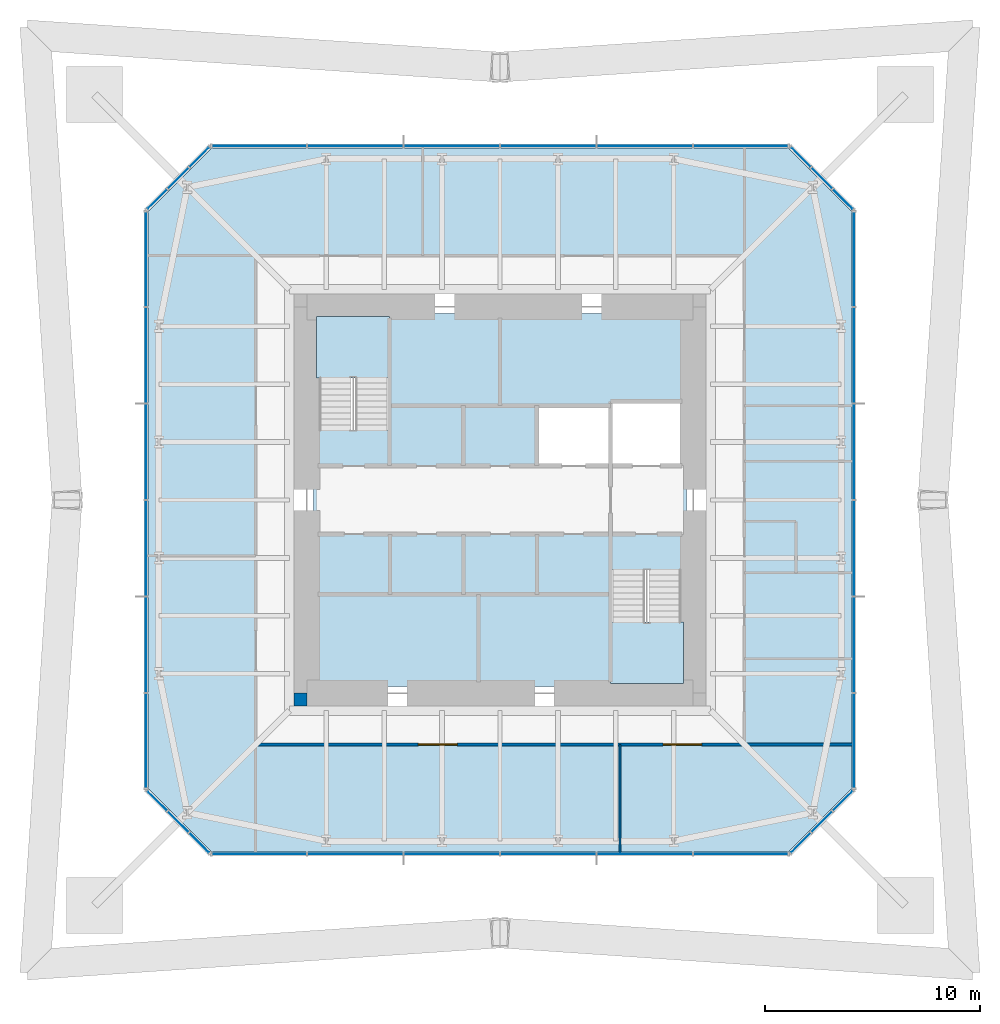
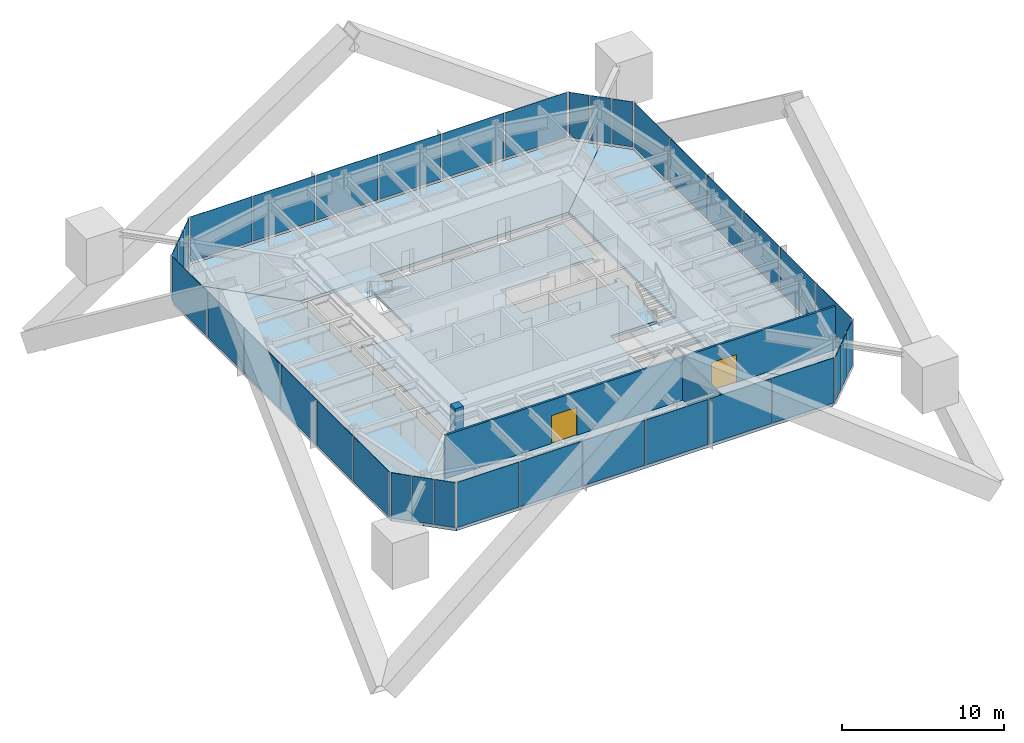
# One storey, part 8 of 11: 36 plates, 7 slabs, 3 walls, 2 doors, 2 openings, 10 elements without a shape of their own.
"""IFC4 building model written with IfcOpenShell, lengths in metres."""

from ifc_helpers import new_model, si_unit, direction, frame, frame_2d, origin, origin_2d, place, context, subcontext, project, spatial, polyline, rectangle, outline, extrude, material, layer, layer_set, constituent, constituent_set, type_object, element, fill, aggregate, save


model = new_model("IFC4")

# Units and contexts
model_context = context("Model", 3, precision=1e-05, world=origin(), true_north=direction((0.0, 1.0)))
body_context = subcontext(model_context, "Body", "Model", "MODEL_VIEW")
ifc_project = project(units=[si_unit("LENGTHUNIT", "METRE"), si_unit("AREAUNIT", "SQUARE_METRE"), si_unit("VOLUMEUNIT", "CUBIC_METRE"), si_unit("PLANEANGLEUNIT", "RADIAN"), si_unit("MASSUNIT", "GRAM", prefix="KILO")], contexts=[model_context])

# Site, building, storey
site_placement = place(None, origin())
site = spatial("IfcSite", under=ifc_project, at=site_placement, CompositionType="ELEMENT")
building_placement = place(site_placement, origin())
building = spatial("IfcBuilding", under=site, at=building_placement, Name="Iwan Alto Co-Living Towers", CompositionType="ELEMENT")
storey_placement = place(building_placement, frame((0.0, 0.0, 215.0)))
storey = spatial("IfcBuildingStorey", under=building, at=storey_placement, Name="L58", CompositionType="ELEMENT", Elevation=215.0)

# Slab
ifc_material_1 = material(Name="Concrete f'c 30 MPa", Category="concrete")
ifc_layer_1 = layer(ifc_material_1, 0.199951171875)
ifc_layer_set_1 = layer_set([ifc_layer_1], Name="CORE FLOOR SLAB 200")
slab_type_1 = type_object("IfcSlabType", Name="CORE FLOOR SLAB 200", PredefinedType="FLOOR", material=ifc_layer_set_1)
slab_1_placement = place(storey_placement, frame((0.0, 0.0, -0.199951171875)))
element("IfcSlab", 1, at=slab_1_placement, inside=storey, type_object=slab_type_1, Name="T1 core floor L58", PredefinedType="FLOOR", context=body_context, shape_type="SweptSolid", body=[
    extrude(outline(polyline([(-8.699951171875, 3.580078125), (-8.39990234375, 3.580078125), (-8.39990234375, 3.27001953125), (-5.14990234375, 3.27001953125), (-5.14990234375, 8.39990234375), (-5.4599609375, 8.39990234375), (-5.4599609375, 8.699951171875), (8.699951171875, 8.699951171875), (8.699951171875, 4.2900390625), (8.39990234375, 4.2900390625), (8.39990234375, 4.60009765625), (5.14990234375, 4.60009765625), (5.14990234375, 4.39990234375), (1.717041015625, 4.39990234375), (1.717041015625, 1.60009765625), (5.14990234375, 1.60009765625), (8.39990234375, 1.60009765625), (8.39990234375, 1.909912109375), (8.699951171875, 1.909912109375), (8.699951171875, -3.580078125), (8.39990234375, -3.580078125), (8.39990234375, -3.27001953125), (5.14990234375, -3.27001953125), (5.14990234375, -8.39990234375), (5.4599609375, -8.39990234375), (5.4599609375, -8.699951171875), (-8.699951171875, -8.699951171875), (-8.699951171875, 3.580078125)])), origin(), (0.0, 0.0, 1.0), 0.199951171875),
])

# Curtain wall, plates
ifc_material_2 = material(Name="Bronze aluminium unitised frame", Category="aluminium")
curtain_wall_type_1 = type_object("IfcCurtainWallType", Name="CURTAIN WALL CW-A", PredefinedType="NOTDEFINED", material=ifc_material_2)
curtain_wall_1_placement = place(storey_placement, origin())
curtain_wall_1 = element("IfcCurtainWall", 2, at=curtain_wall_1_placement, inside=storey, type_object=curtain_wall_type_1, Name="T1 curtain wall S L58", PredefinedType="NOTDEFINED")
ifc_material_3 = material(Name="Bronze-tinted insulating glass", Category="glass")
ifc_layer_2 = layer(ifc_material_3, 0.031982421875)
ifc_layer_set_2 = layer_set([ifc_layer_2], Name="CW-A PANEL TINTED IGU 32")
plate_type_1 = type_object("IfcPlateType", Name="CW-A PANEL TINTED IGU 32", PredefinedType="CURTAIN_PANEL", material=ifc_layer_set_2)
plate_1_placement = place(storey_placement, frame((-11.22998046875, -16.5, 0.10009765625), z_axis=(0.0, 0.0, 1.0), x_axis=(1.0, 0.0, 0.0)))
plate_1 = element("IfcPlate", 3, at=plate_1_placement, type_object=plate_type_1, Name="CW-A panel 1.1", PredefinedType="CURTAIN_PANEL", context=body_context, shape_type="SweptSolid", body=[
    extrude(rectangle(XDim=4.3798828125, YDim=0.031982421875, at=origin_2d()), origin(), (0.0, 0.0, 1.0), 3.39990234375),
])
plate_2_placement = place(storey_placement, frame((-6.75, -16.5, 0.10009765625), z_axis=(0.0, 0.0, 1.0), x_axis=(1.0, 0.0, 0.0)))
plate_2 = element("IfcPlate", 4, at=plate_2_placement, type_object=plate_type_1, Name="CW-A panel 2.1", PredefinedType="CURTAIN_PANEL", context=body_context, shape_type="SweptSolid", body=[
    extrude(rectangle(XDim=4.419921875, YDim=0.031982421875, at=origin_2d()), origin(), (0.0, 0.0, 1.0), 3.39990234375),
])
plate_3_placement = place(storey_placement, frame((-2.25, -16.5, 0.10009765625), z_axis=(0.0, 0.0, 1.0), x_axis=(1.0, 0.0, 0.0)))
plate_3 = element("IfcPlate", 5, at=plate_3_placement, type_object=plate_type_1, Name="CW-A panel 3.1", PredefinedType="CURTAIN_PANEL", context=body_context, shape_type="SweptSolid", body=[
    extrude(rectangle(XDim=4.419921875, YDim=0.031982421875, at=origin_2d()), origin(), (0.0, 0.0, 1.0), 3.39990234375),
])
plate_4_placement = place(storey_placement, frame((2.25, -16.5, 0.10009765625), z_axis=(0.0, 0.0, 1.0), x_axis=(1.0, 0.0, 0.0)))
plate_4 = element("IfcPlate", 6, at=plate_4_placement, type_object=plate_type_1, Name="CW-A panel 4.1", PredefinedType="CURTAIN_PANEL", context=body_context, shape_type="SweptSolid", body=[
    extrude(rectangle(XDim=4.419921875, YDim=0.031982421875, at=origin_2d()), origin(), (0.0, 0.0, 1.0), 3.39990234375),
])
plate_5_placement = place(storey_placement, frame((6.75, -16.5, 0.10009765625), z_axis=(0.0, 0.0, 1.0), x_axis=(1.0, 0.0, 0.0)))
plate_5 = element("IfcPlate", 7, at=plate_5_placement, type_object=plate_type_1, Name="CW-A panel 5.1", PredefinedType="CURTAIN_PANEL", context=body_context, shape_type="SweptSolid", body=[
    extrude(rectangle(XDim=4.419921875, YDim=0.031982421875, at=origin_2d()), origin(), (0.0, 0.0, 1.0), 3.39990234375),
])
plate_6_placement = place(storey_placement, frame((11.22998046875, -16.5, 0.10009765625), z_axis=(0.0, 0.0, 1.0), x_axis=(1.0, 0.0, 0.0)))
plate_6 = element("IfcPlate", 8, at=plate_6_placement, type_object=plate_type_1, Name="CW-A panel 6.1", PredefinedType="CURTAIN_PANEL", context=body_context, shape_type="SweptSolid", body=[
    extrude(rectangle(XDim=4.3798828125, YDim=0.031982421875, at=origin_2d()), origin(), (0.0, 0.0, 1.0), 3.39990234375),
])
aggregate(curtain_wall_1, [plate_1, plate_2, plate_3, plate_4, plate_5, plate_6])

curtain_wall_2_placement = place(storey_placement, origin())
curtain_wall_2 = element("IfcCurtainWall", 9, at=curtain_wall_2_placement, inside=storey, type_object=curtain_wall_type_1, Name="T1 curtain wall E L58", PredefinedType="NOTDEFINED")
plate_7_placement = place(storey_placement, frame((16.5, -11.22998046875, 0.10009765625), z_axis=(0.0, 0.0, 1.0), x_axis=(0.0, 1.0, 0.0)))
plate_7 = element("IfcPlate", 10, at=plate_7_placement, type_object=plate_type_1, Name="CW-A panel 1.1", PredefinedType="CURTAIN_PANEL", context=body_context, shape_type="SweptSolid", body=[
    extrude(rectangle(XDim=4.3798828125, YDim=0.031982421875, at=origin_2d()), origin(), (0.0, 0.0, 1.0), 3.39990234375),
])
plate_8_placement = place(storey_placement, frame((16.5, -6.75, 0.10009765625), z_axis=(0.0, 0.0, 1.0), x_axis=(0.0, 1.0, 0.0)))
plate_8 = element("IfcPlate", 11, at=plate_8_placement, type_object=plate_type_1, Name="CW-A panel 2.1", PredefinedType="CURTAIN_PANEL", context=body_context, shape_type="SweptSolid", body=[
    extrude(rectangle(XDim=4.419921875, YDim=0.031982421875, at=origin_2d()), origin(), (0.0, 0.0, 1.0), 3.39990234375),
])
plate_9_placement = place(storey_placement, frame((16.5, -2.25, 0.10009765625), z_axis=(0.0, 0.0, 1.0), x_axis=(0.0, 1.0, 0.0)))
plate_9 = element("IfcPlate", 12, at=plate_9_placement, type_object=plate_type_1, Name="CW-A panel 3.1", PredefinedType="CURTAIN_PANEL", context=body_context, shape_type="SweptSolid", body=[
    extrude(rectangle(XDim=4.419921875, YDim=0.031982421875, at=origin_2d()), origin(), (0.0, 0.0, 1.0), 3.39990234375),
])
plate_10_placement = place(storey_placement, frame((16.5, 2.25, 0.10009765625), z_axis=(0.0, 0.0, 1.0), x_axis=(0.0, 1.0, 0.0)))
plate_10 = element("IfcPlate", 13, at=plate_10_placement, type_object=plate_type_1, Name="CW-A panel 4.1", PredefinedType="CURTAIN_PANEL", context=body_context, shape_type="SweptSolid", body=[
    extrude(rectangle(XDim=4.419921875, YDim=0.031982421875, at=origin_2d()), origin(), (0.0, 0.0, 1.0), 3.39990234375),
])
plate_11_placement = place(storey_placement, frame((16.5, 6.75, 0.10009765625), z_axis=(0.0, 0.0, 1.0), x_axis=(0.0, 1.0, 0.0)))
plate_11 = element("IfcPlate", 14, at=plate_11_placement, type_object=plate_type_1, Name="CW-A panel 5.1", PredefinedType="CURTAIN_PANEL", context=body_context, shape_type="SweptSolid", body=[
    extrude(rectangle(XDim=4.419921875, YDim=0.031982421875, at=origin_2d()), origin(), (0.0, 0.0, 1.0), 3.39990234375),
])
plate_12_placement = place(storey_placement, frame((16.5, 11.22998046875, 0.10009765625), z_axis=(0.0, 0.0, 1.0), x_axis=(0.0, 1.0, 0.0)))
plate_12 = element("IfcPlate", 15, at=plate_12_placement, type_object=plate_type_1, Name="CW-A panel 6.1", PredefinedType="CURTAIN_PANEL", context=body_context, shape_type="SweptSolid", body=[
    extrude(rectangle(XDim=4.3798828125, YDim=0.031982421875, at=origin_2d()), origin(), (0.0, 0.0, 1.0), 3.39990234375),
])
aggregate(curtain_wall_2, [plate_7, plate_8, plate_9, plate_10, plate_11, plate_12])

curtain_wall_3_placement = place(storey_placement, origin())
curtain_wall_3 = element("IfcCurtainWall", 16, at=curtain_wall_3_placement, inside=storey, type_object=curtain_wall_type_1, Name="T1 curtain wall N L58", PredefinedType="NOTDEFINED")
plate_13_placement = place(storey_placement, frame((11.22998046875, 16.5, 0.10009765625), z_axis=(0.0, 0.0, 1.0), x_axis=(-1.0, 0.0, 0.0)))
plate_13 = element("IfcPlate", 17, at=plate_13_placement, type_object=plate_type_1, Name="CW-A panel 1.1", PredefinedType="CURTAIN_PANEL", context=body_context, shape_type="SweptSolid", body=[
    extrude(rectangle(XDim=4.3798828125, YDim=0.031982421875, at=origin_2d()), origin(), (0.0, 0.0, 1.0), 3.39990234375),
])
plate_14_placement = place(storey_placement, frame((6.75, 16.5, 0.10009765625), z_axis=(0.0, 0.0, 1.0), x_axis=(-1.0, 0.0, 0.0)))
plate_14 = element("IfcPlate", 18, at=plate_14_placement, type_object=plate_type_1, Name="CW-A panel 2.1", PredefinedType="CURTAIN_PANEL", context=body_context, shape_type="SweptSolid", body=[
    extrude(rectangle(XDim=4.419921875, YDim=0.031982421875, at=origin_2d()), origin(), (0.0, 0.0, 1.0), 3.39990234375),
])
plate_15_placement = place(storey_placement, frame((2.25, 16.5, 0.10009765625), z_axis=(0.0, 0.0, 1.0), x_axis=(-1.0, 0.0, 0.0)))
plate_15 = element("IfcPlate", 19, at=plate_15_placement, type_object=plate_type_1, Name="CW-A panel 3.1", PredefinedType="CURTAIN_PANEL", context=body_context, shape_type="SweptSolid", body=[
    extrude(rectangle(XDim=4.419921875, YDim=0.031982421875, at=origin_2d()), origin(), (0.0, 0.0, 1.0), 3.39990234375),
])
plate_16_placement = place(storey_placement, frame((-2.25, 16.5, 0.10009765625), z_axis=(0.0, 0.0, 1.0), x_axis=(-1.0, 0.0, 0.0)))
plate_16 = element("IfcPlate", 20, at=plate_16_placement, type_object=plate_type_1, Name="CW-A panel 4.1", PredefinedType="CURTAIN_PANEL", context=body_context, shape_type="SweptSolid", body=[
    extrude(rectangle(XDim=4.419921875, YDim=0.031982421875, at=origin_2d()), origin(), (0.0, 0.0, 1.0), 3.39990234375),
])
plate_17_placement = place(storey_placement, frame((-6.75, 16.5, 0.10009765625), z_axis=(0.0, 0.0, 1.0), x_axis=(-1.0, 0.0, 0.0)))
plate_17 = element("IfcPlate", 21, at=plate_17_placement, type_object=plate_type_1, Name="CW-A panel 5.1", PredefinedType="CURTAIN_PANEL", context=body_context, shape_type="SweptSolid", body=[
    extrude(rectangle(XDim=4.419921875, YDim=0.031982421875, at=origin_2d()), origin(), (0.0, 0.0, 1.0), 3.39990234375),
])
plate_18_placement = place(storey_placement, frame((-11.22998046875, 16.5, 0.10009765625), z_axis=(0.0, 0.0, 1.0), x_axis=(-1.0, 0.0, 0.0)))
plate_18 = element("IfcPlate", 22, at=plate_18_placement, type_object=plate_type_1, Name="CW-A panel 6.1", PredefinedType="CURTAIN_PANEL", context=body_context, shape_type="SweptSolid", body=[
    extrude(rectangle(XDim=4.3798828125, YDim=0.031982421875, at=origin_2d()), origin(), (0.0, 0.0, 1.0), 3.39990234375),
])
aggregate(curtain_wall_3, [plate_13, plate_14, plate_15, plate_16, plate_17, plate_18])

curtain_wall_4_placement = place(storey_placement, origin())
curtain_wall_4 = element("IfcCurtainWall", 23, at=curtain_wall_4_placement, inside=storey, type_object=curtain_wall_type_1, Name="T1 curtain wall W L58", PredefinedType="NOTDEFINED")
plate_19_placement = place(storey_placement, frame((-16.5, 11.22998046875, 0.10009765625), z_axis=(0.0, 0.0, 1.0), x_axis=(0.0, -1.0, 0.0)))
plate_19 = element("IfcPlate", 24, at=plate_19_placement, type_object=plate_type_1, Name="CW-A panel 1.1", PredefinedType="CURTAIN_PANEL", context=body_context, shape_type="SweptSolid", body=[
    extrude(rectangle(XDim=4.3798828125, YDim=0.031982421875, at=origin_2d()), origin(), (0.0, 0.0, 1.0), 3.39990234375),
])
plate_20_placement = place(storey_placement, frame((-16.5, 6.75, 0.10009765625), z_axis=(0.0, 0.0, 1.0), x_axis=(0.0, -1.0, 0.0)))
plate_20 = element("IfcPlate", 25, at=plate_20_placement, type_object=plate_type_1, Name="CW-A panel 2.1", PredefinedType="CURTAIN_PANEL", context=body_context, shape_type="SweptSolid", body=[
    extrude(rectangle(XDim=4.419921875, YDim=0.031982421875, at=origin_2d()), origin(), (0.0, 0.0, 1.0), 3.39990234375),
])
plate_21_placement = place(storey_placement, frame((-16.5, 2.25, 0.10009765625), z_axis=(0.0, 0.0, 1.0), x_axis=(0.0, -1.0, 0.0)))
plate_21 = element("IfcPlate", 26, at=plate_21_placement, type_object=plate_type_1, Name="CW-A panel 3.1", PredefinedType="CURTAIN_PANEL", context=body_context, shape_type="SweptSolid", body=[
    extrude(rectangle(XDim=4.419921875, YDim=0.031982421875, at=origin_2d()), origin(), (0.0, 0.0, 1.0), 3.39990234375),
])
plate_22_placement = place(storey_placement, frame((-16.5, -2.25, 0.10009765625), z_axis=(0.0, 0.0, 1.0), x_axis=(0.0, -1.0, 0.0)))
plate_22 = element("IfcPlate", 27, at=plate_22_placement, type_object=plate_type_1, Name="CW-A panel 4.1", PredefinedType="CURTAIN_PANEL", context=body_context, shape_type="SweptSolid", body=[
    extrude(rectangle(XDim=4.419921875, YDim=0.031982421875, at=origin_2d()), origin(), (0.0, 0.0, 1.0), 3.39990234375),
])
plate_23_placement = place(storey_placement, frame((-16.5, -6.75, 0.10009765625), z_axis=(0.0, 0.0, 1.0), x_axis=(0.0, -1.0, 0.0)))
plate_23 = element("IfcPlate", 28, at=plate_23_placement, type_object=plate_type_1, Name="CW-A panel 5.1", PredefinedType="CURTAIN_PANEL", context=body_context, shape_type="SweptSolid", body=[
    extrude(rectangle(XDim=4.419921875, YDim=0.031982421875, at=origin_2d()), origin(), (0.0, 0.0, 1.0), 3.39990234375),
])
plate_24_placement = place(storey_placement, frame((-16.5, -11.22998046875, 0.10009765625), z_axis=(0.0, 0.0, 1.0), x_axis=(0.0, -1.0, 0.0)))
plate_24 = element("IfcPlate", 29, at=plate_24_placement, type_object=plate_type_1, Name="CW-A panel 6.1", PredefinedType="CURTAIN_PANEL", context=body_context, shape_type="SweptSolid", body=[
    extrude(rectangle(XDim=4.3798828125, YDim=0.031982421875, at=origin_2d()), origin(), (0.0, 0.0, 1.0), 3.39990234375),
])
aggregate(curtain_wall_4, [plate_19, plate_20, plate_21, plate_22, plate_23, plate_24])

ifc_material_4 = material(Name="Bronze aluminium unitised frame", Category="aluminium")
curtain_wall_type_2 = type_object("IfcCurtainWallType", Name="CURTAIN WALL CW-B", PredefinedType="NOTDEFINED", material=ifc_material_4)
curtain_wall_5_placement = place(storey_placement, origin())
curtain_wall_5 = element("IfcCurtainWall", 30, at=curtain_wall_5_placement, inside=storey, type_object=curtain_wall_type_2, Name="T1 chamfer curtain wall SE L58", PredefinedType="NOTDEFINED")
ifc_material_5 = material(Name="Bronze-tinted insulating glass", Category="glass")
ifc_layer_3 = layer(ifc_material_5, 0.031982421875)
ifc_layer_set_3 = layer_set([ifc_layer_3], Name="CW-B PANEL TINTED IGU 32")
plate_type_2 = type_object("IfcPlateType", Name="CW-B PANEL TINTED IGU 32", PredefinedType="CURTAIN_PANEL", material=ifc_layer_set_3)
plate_25_placement = place(storey_placement, frame((14.01416015625, -15.98583984375, 0.10009765625), z_axis=(0.0, 0.0, 1.0), x_axis=(0.707106781187, 0.707106781187, 0.0)))
plate_25 = element("IfcPlate", 31, at=plate_25_placement, type_object=plate_type_2, Name="CW-B panel 1.1", PredefinedType="CURTAIN_PANEL", context=body_context, shape_type="SweptSolid", body=[
    extrude(rectangle(XDim=1.294189453125, YDim=0.031982421875, at=origin_2d()), origin(), (0.0, 0.0, 1.0), 3.39990234375),
])
plate_26_placement = place(storey_placement, frame((15.0, -15.0, 0.10009765625), z_axis=(0.0, 0.0, 1.0), x_axis=(0.707106781187, 0.707106781187, 0.0)))
plate_26 = element("IfcPlate", 32, at=plate_26_placement, type_object=plate_type_2, Name="CW-B panel 2.1", PredefinedType="CURTAIN_PANEL", context=body_context, shape_type="SweptSolid", body=[
    extrude(rectangle(XDim=1.334228515625, YDim=0.031982421875, at=origin_2d()), origin(), (0.0, 0.0, 1.0), 3.39990234375),
])
plate_27_placement = place(storey_placement, frame((15.98583984375, -14.01416015625, 0.10009765625), z_axis=(0.0, 0.0, 1.0), x_axis=(0.707106781187, 0.707106781187, 0.0)))
plate_27 = element("IfcPlate", 33, at=plate_27_placement, type_object=plate_type_2, Name="CW-B panel 3.1", PredefinedType="CURTAIN_PANEL", context=body_context, shape_type="SweptSolid", body=[
    extrude(rectangle(XDim=1.294189453125, YDim=0.031982421875, at=origin_2d()), origin(), (0.0, 0.0, 1.0), 3.39990234375),
])
aggregate(curtain_wall_5, [plate_25, plate_26, plate_27])

curtain_wall_6_placement = place(storey_placement, origin())
curtain_wall_6 = element("IfcCurtainWall", 34, at=curtain_wall_6_placement, inside=storey, type_object=curtain_wall_type_2, Name="T1 chamfer curtain wall NE L58", PredefinedType="NOTDEFINED")
plate_28_placement = place(storey_placement, frame((15.98583984375, 14.01416015625, 0.10009765625), z_axis=(0.0, 0.0, 1.0), x_axis=(-0.707106781187, 0.707106781187, 0.0)))
plate_28 = element("IfcPlate", 35, at=plate_28_placement, type_object=plate_type_2, Name="CW-B panel 1.1", PredefinedType="CURTAIN_PANEL", context=body_context, shape_type="SweptSolid", body=[
    extrude(rectangle(XDim=1.294189453125, YDim=0.031982421875, at=origin_2d()), origin(), (0.0, 0.0, 1.0), 3.39990234375),
])
plate_29_placement = place(storey_placement, frame((15.0, 15.0, 0.10009765625), z_axis=(0.0, 0.0, 1.0), x_axis=(-0.707106781187, 0.707106781187, 0.0)))
plate_29 = element("IfcPlate", 36, at=plate_29_placement, type_object=plate_type_2, Name="CW-B panel 2.1", PredefinedType="CURTAIN_PANEL", context=body_context, shape_type="SweptSolid", body=[
    extrude(rectangle(XDim=1.334228515625, YDim=0.031982421875, at=origin_2d()), origin(), (0.0, 0.0, 1.0), 3.39990234375),
])
plate_30_placement = place(storey_placement, frame((14.01416015625, 15.98583984375, 0.10009765625), z_axis=(0.0, 0.0, 1.0), x_axis=(-0.707106781187, 0.707106781187, 0.0)))
plate_30 = element("IfcPlate", 37, at=plate_30_placement, type_object=plate_type_2, Name="CW-B panel 3.1", PredefinedType="CURTAIN_PANEL", context=body_context, shape_type="SweptSolid", body=[
    extrude(rectangle(XDim=1.294189453125, YDim=0.031982421875, at=origin_2d()), origin(), (0.0, 0.0, 1.0), 3.39990234375),
])
aggregate(curtain_wall_6, [plate_28, plate_29, plate_30])

curtain_wall_7_placement = place(storey_placement, origin())
curtain_wall_7 = element("IfcCurtainWall", 38, at=curtain_wall_7_placement, inside=storey, type_object=curtain_wall_type_2, Name="T1 chamfer curtain wall NW L58", PredefinedType="NOTDEFINED")
plate_31_placement = place(storey_placement, frame((-14.01416015625, 15.98583984375, 0.10009765625), z_axis=(0.0, 0.0, 1.0), x_axis=(-0.707106781187, -0.707106781187, 0.0)))
plate_31 = element("IfcPlate", 39, at=plate_31_placement, type_object=plate_type_2, Name="CW-B panel 1.1", PredefinedType="CURTAIN_PANEL", context=body_context, shape_type="SweptSolid", body=[
    extrude(rectangle(XDim=1.294189453125, YDim=0.031982421875, at=origin_2d()), origin(), (0.0, 0.0, 1.0), 3.39990234375),
])
plate_32_placement = place(storey_placement, frame((-15.0, 15.0, 0.10009765625), z_axis=(0.0, 0.0, 1.0), x_axis=(-0.707106781187, -0.707106781187, 0.0)))
plate_32 = element("IfcPlate", 40, at=plate_32_placement, type_object=plate_type_2, Name="CW-B panel 2.1", PredefinedType="CURTAIN_PANEL", context=body_context, shape_type="SweptSolid", body=[
    extrude(rectangle(XDim=1.334228515625, YDim=0.031982421875, at=origin_2d()), origin(), (0.0, 0.0, 1.0), 3.39990234375),
])
plate_33_placement = place(storey_placement, frame((-15.98583984375, 14.01416015625, 0.10009765625), z_axis=(0.0, 0.0, 1.0), x_axis=(-0.707106781187, -0.707106781187, 0.0)))
plate_33 = element("IfcPlate", 41, at=plate_33_placement, type_object=plate_type_2, Name="CW-B panel 3.1", PredefinedType="CURTAIN_PANEL", context=body_context, shape_type="SweptSolid", body=[
    extrude(rectangle(XDim=1.294189453125, YDim=0.031982421875, at=origin_2d()), origin(), (0.0, 0.0, 1.0), 3.39990234375),
])
aggregate(curtain_wall_7, [plate_31, plate_32, plate_33])

curtain_wall_8_placement = place(storey_placement, origin())
curtain_wall_8 = element("IfcCurtainWall", 42, at=curtain_wall_8_placement, inside=storey, type_object=curtain_wall_type_2, Name="T1 chamfer curtain wall SW L58", PredefinedType="NOTDEFINED")
plate_34_placement = place(storey_placement, frame((-15.98583984375, -14.01416015625, 0.10009765625), z_axis=(0.0, 0.0, 1.0), x_axis=(0.707106781187, -0.707106781187, 0.0)))
plate_34 = element("IfcPlate", 43, at=plate_34_placement, type_object=plate_type_2, Name="CW-B panel 1.1", PredefinedType="CURTAIN_PANEL", context=body_context, shape_type="SweptSolid", body=[
    extrude(rectangle(XDim=1.294189453125, YDim=0.031982421875, at=origin_2d()), origin(), (0.0, 0.0, 1.0), 3.39990234375),
])
plate_35_placement = place(storey_placement, frame((-15.0, -15.0, 0.10009765625), z_axis=(0.0, 0.0, 1.0), x_axis=(0.707106781187, -0.707106781187, 0.0)))
plate_35 = element("IfcPlate", 44, at=plate_35_placement, type_object=plate_type_2, Name="CW-B panel 2.1", PredefinedType="CURTAIN_PANEL", context=body_context, shape_type="SweptSolid", body=[
    extrude(rectangle(XDim=1.334228515625, YDim=0.031982421875, at=origin_2d()), origin(), (0.0, 0.0, 1.0), 3.39990234375),
])
plate_36_placement = place(storey_placement, frame((-14.01416015625, -15.98583984375, 0.10009765625), z_axis=(0.0, 0.0, 1.0), x_axis=(0.707106781187, -0.707106781187, 0.0)))
plate_36 = element("IfcPlate", 45, at=plate_36_placement, type_object=plate_type_2, Name="CW-B panel 3.1", PredefinedType="CURTAIN_PANEL", context=body_context, shape_type="SweptSolid", body=[
    extrude(rectangle(XDim=1.294189453125, YDim=0.031982421875, at=origin_2d()), origin(), (0.0, 0.0, 1.0), 3.39990234375),
])
aggregate(curtain_wall_8, [plate_34, plate_35, plate_36])

# Stair, slab
ifc_material_6 = material(Name="Steel ASTM A36", Category="steel")
ifc_constituent_1 = constituent(ifc_material_6, Name="Stringers", Category="LoadBearing")
ifc_material_7 = material(Name="Concrete f'c 30 MPa", Category="concrete")
ifc_constituent_2 = constituent(ifc_material_7, Name="Tread fill", Category="Finish")
ifc_constituent_set = constituent_set(constituents=[ifc_constituent_1, ifc_constituent_2], Name="STAIR 3500 TWO-FLIGHT T1 CORE")
stair_type = type_object("IfcStairType", Name="STAIR 3500 TWO-FLIGHT T1 CORE", PredefinedType="HALF_TURN_STAIR", material=ifc_constituent_set)
stair_1_placement = place(storey_placement, origin())
stair_1 = element("IfcStair", 46, at=stair_1_placement, inside=storey, type_object=stair_type, Name="Stair T1-S1 L58 to L59", PredefinedType="HALF_TURN_STAIR")
ifc_material_8 = material(Name="Concrete f'c 30 MPa", Category="concrete")
ifc_layer_4 = layer(ifc_material_8, 0.199951171875)
ifc_layer_set_4 = layer_set([ifc_layer_4], Name="STAIR LANDING 200")
slab_type_2 = type_object("IfcSlabType", Name="STAIR LANDING 200", PredefinedType="LANDING", material=ifc_layer_set_4)
slab_2_placement = place(storey_placement, frame((0.0, 0.0, 1.550048828125)))
slab_2 = element("IfcSlab", 47, at=slab_2_placement, type_object=slab_type_2, Name="T1-S1 landing 1", PredefinedType="LANDING", context=body_context, shape_type="SweptSolid", body=[
    extrude(outline(polyline([(-8.550048828125, 5.68994140625), (-8.550048828125, 8.550048828125), (-5.14990234375, 8.550048828125), (-5.14990234375, 5.68994140625), (-8.550048828125, 5.68994140625)])), origin(), (0.0, 0.0, 1.0), 0.199951171875),
])
aggregate(stair_1, [slab_2])

stair_2_placement = place(storey_placement, origin())
stair_2 = element("IfcStair", 48, at=stair_2_placement, inside=storey, type_object=stair_type, Name="Stair T1-S2 L58 to L59", PredefinedType="HALF_TURN_STAIR")
slab_3_placement = place(storey_placement, frame((0.0, 0.0, 1.550048828125)))
slab_3 = element("IfcSlab", 49, at=slab_3_placement, type_object=slab_type_2, Name="T1-S2 landing 1", PredefinedType="LANDING", context=body_context, shape_type="SweptSolid", body=[
    extrude(outline(polyline([(5.14990234375, -5.68994140625), (5.14990234375, -8.550048828125), (8.550048828125, -8.550048828125), (8.550048828125, -5.68994140625), (5.14990234375, -5.68994140625)])), origin(), (0.0, 0.0, 1.0), 0.199951171875),
])
aggregate(stair_2, [slab_3])

# Slabs
ifc_material_9 = material(Name="Concrete f'c 30 MPa", Category="concrete")
ifc_layer_5 = layer(ifc_material_9, 0.22998046875)
ifc_layer_set_5 = layer_set([ifc_layer_5], Name="T1 FLOOR SLAB 230")
slab_type_3 = type_object("IfcSlabType", Name="T1 FLOOR SLAB 230", PredefinedType="FLOOR", material=ifc_layer_set_5)
slab_4_placement = place(storey_placement, frame((0.0, 0.0, -0.22998046875)))
element("IfcSlab", 50, at=slab_4_placement, inside=storey, type_object=slab_type_3, Name="T1 floor slab L58 S pour", PredefinedType="FLOOR", context=body_context, shape_type="SweptSolid", body=[
    extrude(outline(polyline([(13.44140625, -16.39990234375), (-13.44140625, -16.39990234375), (-14.920654296875, -14.920654296875), (-9.60009765625, -9.60009765625), (9.60009765625, -9.60009765625), (14.920654296875, -14.920654296875), (13.44140625, -16.39990234375)])), origin(), (0.0, 0.0, 1.0), 0.22998046875),
])
slab_5_placement = place(storey_placement, frame((0.0, 0.0, -0.22998046875)))
element("IfcSlab", 51, at=slab_5_placement, inside=storey, type_object=slab_type_3, Name="T1 floor slab L58 E pour", PredefinedType="FLOOR", context=body_context, shape_type="SweptSolid", body=[
    extrude(outline(polyline([(16.39990234375, 13.44140625), (16.39990234375, -13.44140625), (14.920654296875, -14.920654296875), (9.60009765625, -9.60009765625), (9.60009765625, 9.60009765625), (14.920654296875, 14.920654296875), (16.39990234375, 13.44140625)])), origin(), (0.0, 0.0, 1.0), 0.22998046875),
])
slab_6_placement = place(storey_placement, frame((0.0, 0.0, -0.22998046875)))
element("IfcSlab", 52, at=slab_6_placement, inside=storey, type_object=slab_type_3, Name="T1 floor slab L58 N pour", PredefinedType="FLOOR", context=body_context, shape_type="SweptSolid", body=[
    extrude(outline(polyline([(-13.44140625, 16.39990234375), (13.44140625, 16.39990234375), (14.920654296875, 14.920654296875), (9.60009765625, 9.60009765625), (-9.60009765625, 9.60009765625), (-14.920654296875, 14.920654296875), (-13.44140625, 16.39990234375)])), origin(), (0.0, 0.0, 1.0), 0.22998046875),
])
slab_7_placement = place(storey_placement, frame((0.0, 0.0, -0.22998046875)))
element("IfcSlab", 53, at=slab_7_placement, inside=storey, type_object=slab_type_3, Name="T1 floor slab L58 W pour", PredefinedType="FLOOR", context=body_context, shape_type="SweptSolid", body=[
    extrude(outline(polyline([(-16.39990234375, 13.44140625), (-14.920654296875, 14.920654296875), (-9.60009765625, 9.60009765625), (-9.60009765625, -9.60009765625), (-14.920654296875, -14.920654296875), (-16.39990234375, -13.44140625), (-16.39990234375, 13.44140625)])), origin(), (0.0, 0.0, 1.0), 0.22998046875),
])

# Wall, openings, doors
ifc_material_10 = material(Name="Gypsum board")
ifc_layer_6 = layer(ifc_material_10, 0.02490234375, Name="Board", Category="Finish")
ifc_material_11 = material(Name="Steel ASTM A1003 ST33H cold-formed studs", Category="steel")
ifc_layer_7 = layer(ifc_material_11, 0.10009765625, Name="Studs", Category="Framing")
ifc_layer_8 = layer(ifc_material_10, 0.02490234375, Name="Board", Category="Finish")
ifc_layer_set_6 = layer_set([ifc_layer_6, ifc_layer_7, ifc_layer_8], Name="CORRIDOR WALL 150")
wall_type_1 = type_object("IfcWallType", Name="CORRIDOR WALL 150", PredefinedType="PARTITIONING", material=ifc_layer_set_6)
wall_1_placement = place(storey_placement, frame((-11.39990234375, -11.39990234375, 0.0), z_axis=(0.0, 0.0, 1.0), x_axis=(1.0, 0.0, 0.0)))
wall_1 = element("IfcWall", 54, at=wall_1_placement, inside=storey, type_object=wall_type_1, Name="Partition L58", PredefinedType="PARTITIONING", context=body_context, shape_type="SweptSolid", body=[
    extrude(rectangle(XDim=27.83984375, YDim=0.14990234375, at=frame_2d((13.919921875, 0.0))), origin(), (0.0, 0.0, 1.0), 3.27001953125),
])
opening_1_placement = place(wall_1_placement, frame((7.60009765625, 0.0, 0.0)))
opening_1 = element("IfcOpeningElement", 55, at=opening_1_placement, cuts=wall_1, Name="Opening D9", PredefinedType="OPENING", context=body_context, shape_type="SweptSolid", body=[
    extrude(rectangle(XDim=1.800048828125, YDim=2.10009765625, at=frame_2d((0.89990234375, 1.050048828125))), frame((0.0, 0.0849609375, 0.0), z_axis=(0.0, -1.0, 0.0), x_axis=(1.0, 0.0, 0.0)), (0.0, 0.0, 1.0), 0.169921875),
])
opening_2_placement = place(wall_1_placement, frame((19.0, 0.0, 0.0)))
opening_2 = element("IfcOpeningElement", 56, at=opening_2_placement, cuts=wall_1, Name="Opening D9", PredefinedType="OPENING", context=body_context, shape_type="SweptSolid", body=[
    extrude(rectangle(XDim=1.800048828125, YDim=2.10009765625, at=frame_2d((0.89990234375, 1.050048828125))), frame((0.0, 0.0849609375, 0.0), z_axis=(0.0, -1.0, 0.0), x_axis=(1.0, 0.0, 0.0)), (0.0, 0.0, 1.0), 0.169921875),
])
ifc_material_12 = material(Name="Steel frame with timber leaf", Category="steel")
door_type = type_object("IfcDoorType", Name="LOUNGE DOOR FD30S 1800X2100", OperationType="DOUBLE_DOOR_SINGLE_SWING", PredefinedType="DOOR", material=ifc_material_12)
door_1_placement = place(opening_1_placement, frame((1.800048828125, 0.0, 0.0), z_axis=(0.0, 0.0, 1.0), x_axis=(-1.0, 0.0, 0.0)))
door_1 = element("IfcDoor", 57, at=door_1_placement, inside=storey, type_object=door_type, Name="Gym door L58", OperationType="DOUBLE_DOOR_SINGLE_SWING", OverallHeight=2.10009765625, OverallWidth=1.800048828125, PredefinedType="DOOR", context=body_context, shape_type="SweptSolid", body=[
    extrude(rectangle(XDim=1.800048828125, YDim=2.10009765625, at=frame_2d((0.89990234375, 1.050048828125))), frame((0.0, 0.02490234375, 0.0), z_axis=(0.0, -1.0, 0.0), x_axis=(1.0, 0.0, 0.0)), (0.0, 0.0, 1.0), 0.050048828125),
])
fill(opening_1, door_1)
door_2_placement = place(opening_2_placement, frame((1.800048828125, 0.0, 0.0), z_axis=(0.0, 0.0, 1.0), x_axis=(-1.0, 0.0, 0.0)))
door_2 = element("IfcDoor", 58, at=door_2_placement, inside=storey, type_object=door_type, Name="Fitness studio door L58", OperationType="DOUBLE_DOOR_SINGLE_SWING", OverallHeight=2.10009765625, OverallWidth=1.800048828125, PredefinedType="DOOR", context=body_context, shape_type="SweptSolid", body=[
    extrude(rectangle(XDim=1.800048828125, YDim=2.10009765625, at=frame_2d((0.89990234375, 1.050048828125))), frame((0.0, 0.02490234375, 0.0), z_axis=(0.0, -1.0, 0.0), x_axis=(1.0, 0.0, 0.0)), (0.0, 0.0, 1.0), 0.050048828125),
])
fill(opening_2, door_2)

# Walls
ifc_layer_9 = layer(ifc_material_10, 0.012451171875, Name="Board", Category="Finish")
ifc_layer_10 = layer(ifc_material_11, 0.074951171875, Name="Studs", Category="Framing")
ifc_layer_11 = layer(ifc_material_10, 0.012451171875, Name="Board", Category="Finish")
ifc_layer_set_7 = layer_set([ifc_layer_9, ifc_layer_10, ifc_layer_11], Name="PARTITION 100")
wall_type_2 = type_object("IfcWallType", Name="PARTITION 100", PredefinedType="PARTITIONING", material=ifc_layer_set_7)
wall_2_placement = place(storey_placement, frame((5.60009765625, -16.43994140625, 0.0), z_axis=(0.0, 0.0, 1.0), x_axis=(0.0, 1.0, 0.0)))
element("IfcWall", 59, at=wall_2_placement, inside=storey, type_object=wall_type_2, Name="Partition L58", PredefinedType="PARTITIONING", context=body_context, shape_type="SweptSolid", body=[
    extrude(rectangle(XDim=5.0400390625, YDim=0.10009765625, at=frame_2d((2.52001953125, 0.0))), origin(), (0.0, 0.0, 1.0), 3.27001953125),
])
ifc_material_13 = material(Name="Concrete f'c 70 MPa", Category="concrete")
ifc_layer_12 = layer(ifc_material_13, 0.60009765625)
ifc_layer_set_8 = layer_set([ifc_layer_12], Name="T1 CORE CORNER FILL 600")
wall_type_3 = type_object("IfcWallType", Name="T1 CORE CORNER FILL 600", PredefinedType="SOLIDWALL", material=ifc_layer_set_8)
wall_3_placement = place(storey_placement, frame((-9.60009765625, -9.300048828125, 0.0), z_axis=(0.0, 0.0, 1.0), x_axis=(1.0, 0.0, 0.0)))
element("IfcWall", 60, at=wall_3_placement, inside=storey, type_object=wall_type_3, Name="T1 core corner SW L58", PredefinedType="SOLIDWALL", context=body_context, shape_type="SweptSolid", body=[
    extrude(rectangle(XDim=0.60009765625, YDim=0.60009765625, at=frame_2d((0.300048828125, 0.0))), origin(), (0.0, 0.0, 1.0), 3.5),
])

save(model, "model.ifc")
